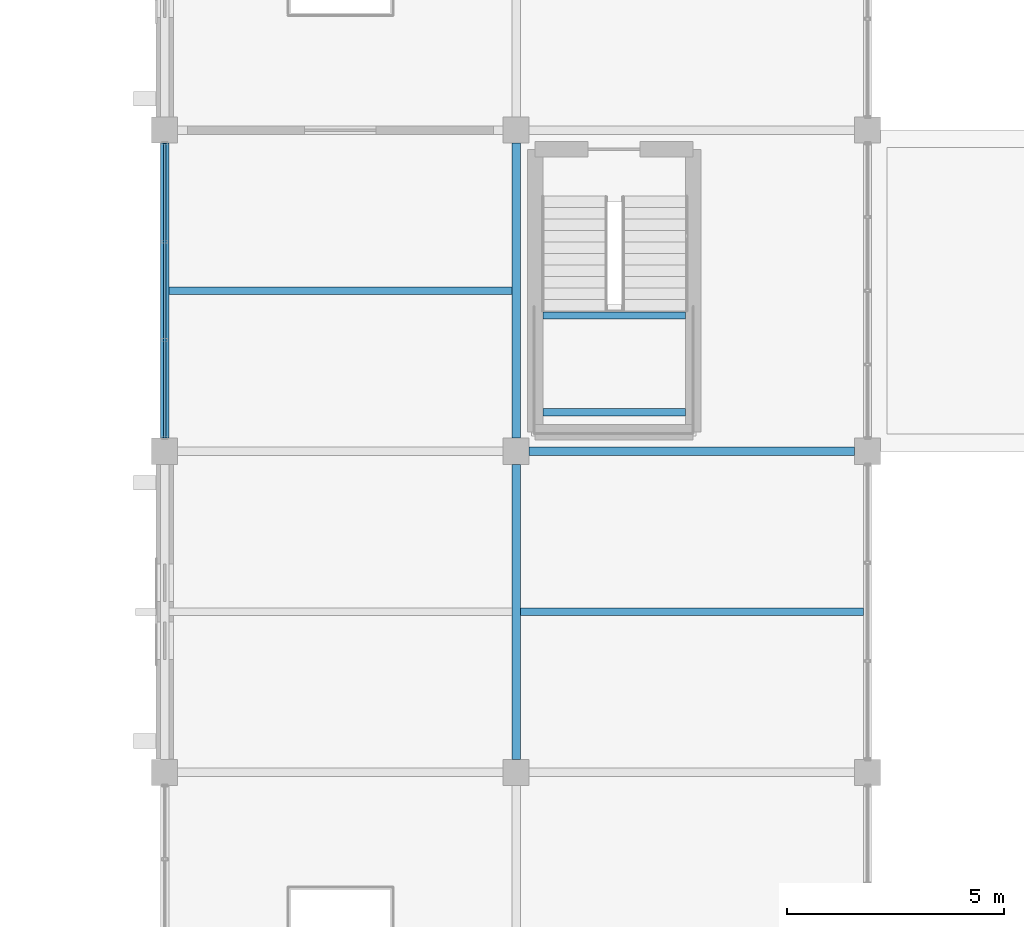
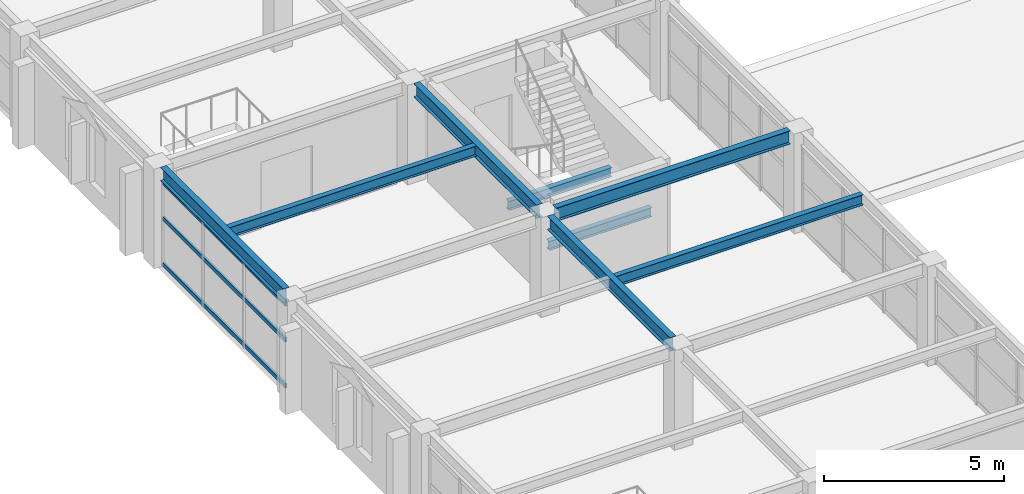
# One storey, part 20 of 121: 8 beams, 3 members, 1 element without a shape of its own.
"""IFC4 building model written with IfcOpenShell, lengths in metres."""

from ifc_helpers import new_model, si_unit, direction, frame, origin, origin_2d, place, context, subcontext, project, spatial, hollow_rectangle, i_section, extrude, material, material_profile, profile_set, type_object, element, aggregate, save


model = new_model("IFC4")

# Units and contexts
model_context = context("Model", 3, precision=1e-05, world=origin(), true_north=direction((0.0, 1.0)))
body_context = subcontext(model_context, "Body", "Model", "MODEL_VIEW")
ifc_project = project(units=[si_unit("LENGTHUNIT", "METRE"), si_unit("AREAUNIT", "SQUARE_METRE"), si_unit("VOLUMEUNIT", "CUBIC_METRE"), si_unit("PLANEANGLEUNIT", "RADIAN"), si_unit("MASSUNIT", "GRAM", prefix="KILO")], contexts=[model_context])

# Site, building, storey
site_placement = place(None, origin())
site = spatial("IfcSite", under=ifc_project, at=site_placement, CompositionType="ELEMENT")
building_placement = place(site_placement, origin())
building = spatial("IfcBuilding", under=site, at=building_placement, Name="Cimatlan Art Gallery", CompositionType="ELEMENT")
storey_placement = place(building_placement, frame((0.0, 0.0, 10.199951171875)))
storey = spatial("IfcBuildingStorey", under=building, at=storey_placement, Name="L02", CompositionType="ELEMENT", Elevation=10.199951171875)

# Beams
ifc_material_1 = material(Name="Steel ASTM A992 Grade 50", Category="steel")
ifc_material_profile_1 = material_profile(ifc_material_1, i_section(OverallWidth=0.1650390625, OverallDepth=0.31005859375, WebThickness=0.005859375, FlangeThickness=0.009765625, at=origin_2d()), Name="W12X26")
ifc_profile_set_1 = profile_set([ifc_material_profile_1], Name="Steel ASTM A992 Grade 50")
beam_type_1 = type_object("IfcBeamType", Name="BM-STL-W12X26", PredefinedType="JOIST", material=ifc_profile_set_1)
for number, where, z_axis, x_axis, name in (
    (1, (43.114990234375, 54.39990234375, 1.425048828125), (1.0, 0.0, 0.0), (0.0, 1.0, 0.0), "BM-STR-C8-L02-LH1"),
    (2, (43.114990234375, 56.6298828125, 1.425048828125), (1.0, 0.0, 0.0), (0.0, 1.0, 0.0), "BM-STR-C8-L02-LH2"),
):
    element("IfcBeam", number, at=place(storey_placement, frame(where, z_axis=z_axis, x_axis=x_axis)), inside=storey, type_object=beam_type_1, Name=name, PredefinedType="JOIST", context=body_context, shape_type="SweptSolid", body=[
        extrude(i_section(OverallWidth=0.1650390625, OverallDepth=0.31005859375, WebThickness=0.005859375, FlangeThickness=0.009765625, at=origin_2d()), origin(), (0.0, 0.0, 1.0), 3.2900390625),
    ])
ifc_material_profile_2 = material_profile(ifc_material_1, i_section(OverallWidth=0.1708984375, OverallDepth=0.35107421875, WebThickness=0.0068359375, FlangeThickness=0.009765625, at=origin_2d()), Name="W14X30")
ifc_profile_set_2 = profile_set([ifc_material_profile_2], Name="Steel ASTM A992 Grade 50")
beam_type_2 = type_object("IfcBeamType", Name="BM-STL-W14X30", PredefinedType="JOIST", material=ifc_profile_set_2)
for number, where, z_axis, x_axis, name in (
    (3, (34.49560546875, 57.199951171875, 3.194580078125), (1.0, 0.0, 0.0), (0.0, 1.0, 0.0), "JST-L02-04-07"),
    (4, (42.595458984375, 49.800048828125, 3.194580078125), (1.0, 0.0, 0.0), (0.0, 1.0, 0.0), "JST-L02-05-06"),
):
    element("IfcBeam", number, at=place(storey_placement, frame(where, z_axis=z_axis, x_axis=x_axis)), inside=storey, type_object=beam_type_2, Name=name, PredefinedType="JOIST", context=body_context, shape_type="SweptSolid", body=[
        extrude(i_section(OverallWidth=0.1708984375, OverallDepth=0.35107421875, WebThickness=0.0068359375, FlangeThickness=0.009765625, at=origin_2d()), origin(), (0.0, 0.0, 1.0), 7.908935546875),
    ])
ifc_material_profile_3 = material_profile(ifc_material_1, i_section(OverallWidth=0.19091796875, OverallDepth=0.45703125, WebThickness=0.009033203125, FlangeThickness=0.014404296875, at=origin_2d()), Name="W18X50")
ifc_profile_set_3 = profile_set([ifc_material_profile_3], Name="Steel ASTM A992 Grade 50")
beam_type_3 = type_object("IfcBeamType", Name="BM-STL-W18X50", PredefinedType="BEAM", material=ifc_profile_set_3)
for number, where, z_axis, x_axis, name in (
    (5, (34.39990234375, 53.800048828125, 3.1416015625), (0.0, 1.0, 0.0), (-1.0, 0.0, 0.0), "BM-Y-L02-04-07"),
    (6, (42.5, 46.39990234375, 3.1416015625), (0.0, 1.0, 0.0), (-1.0, 0.0, 0.0), "BM-Y-L02-05-06"),
    (7, (42.5, 53.800048828125, 3.1416015625), (0.0, 1.0, 0.0), (-1.0, 0.0, 0.0), "BM-Y-L02-05-07"),
):
    element("IfcBeam", number, at=place(storey_placement, frame(where, z_axis=z_axis, x_axis=x_axis)), inside=storey, type_object=beam_type_3, Name=name, PredefinedType="BEAM", context=body_context, shape_type="SweptSolid", body=[
        extrude(i_section(OverallWidth=0.19091796875, OverallDepth=0.45703125, WebThickness=0.009033203125, FlangeThickness=0.014404296875, at=origin_2d()), origin(), (0.0, 0.0, 1.0), 6.800048828125),
    ])
beam_placement = place(storey_placement, frame((42.800048828125, 53.5, 3.1416015625), z_axis=(1.0, 0.0, 0.0), x_axis=(0.0, 1.0, 0.0)))
element("IfcBeam", 8, at=beam_placement, inside=storey, type_object=beam_type_3, Name="BM-X-L02-05-07", PredefinedType="BEAM", context=body_context, shape_type="SweptSolid", body=[
    extrude(i_section(OverallWidth=0.19091796875, OverallDepth=0.45703125, WebThickness=0.009033203125, FlangeThickness=0.014404296875, at=origin_2d()), origin(), (0.0, 0.0, 1.0), 7.5),
])

# Curtain wall, members
ifc_material_2 = material(Name="Anodised bronze unitised curtain wall")
curtain_wall_type = type_object("IfcCurtainWallType", Name="CW-V-06792X02883-B3", PredefinedType="NOTDEFINED", material=ifc_material_2)
curtain_wall_placement = place(storey_placement, origin())
curtain_wall = element("IfcCurtainWall", 9, at=curtain_wall_placement, inside=storey, type_object=curtain_wall_type, Name="CW-L02-04-07-W", PredefinedType="NOTDEFINED")
ifc_material_3 = material(Name="Anodised bronze aluminium 6063-T6", Category="aluminium")
ifc_material_profile_4 = material_profile(ifc_material_3, hollow_rectangle(XDim=0.06494140625, YDim=0.139892578125, WallThickness=0.00390625, at=origin_2d()), Name="ALU65X140X4")
ifc_profile_set_4 = profile_set([ifc_material_profile_4], Name="Anodised bronze aluminium 6063-T6")
member_type = type_object("IfcMemberType", Name="CW-TRN-140", PredefinedType="USERDEFINED", material=ifc_profile_set_4)
member_1_placement = place(storey_placement, frame((34.39990234375, 53.803955078125, 0.06005859375), z_axis=(0.0, 1.0, 0.0), x_axis=(-1.0, 0.0, 0.0)))
member_1 = element("IfcMember", 10, at=member_1_placement, type_object=member_type, Name="CW-L02-04-07-W-T1", ObjectType="TRANSOM", PredefinedType="USERDEFINED", context=body_context, shape_type="SweptSolid", body=[
    extrude(hollow_rectangle(XDim=0.06494140625, YDim=0.139892578125, WallThickness=0.00390625, at=origin_2d()), origin(), (0.0, 0.0, 1.0), 6.7919921875),
])
member_2_placement = place(storey_placement, frame((34.39990234375, 53.803955078125, 1.614501953125), z_axis=(0.0, 1.0, 0.0), x_axis=(-1.0, 0.0, 0.0)))
member_2 = element("IfcMember", 11, at=member_2_placement, type_object=member_type, Name="CW-L02-04-07-W-T2", ObjectType="TRANSOM", PredefinedType="USERDEFINED", context=body_context, shape_type="SweptSolid", body=[
    extrude(hollow_rectangle(XDim=0.06494140625, YDim=0.139892578125, WallThickness=0.00390625, at=origin_2d()), origin(), (0.0, 0.0, 1.0), 6.7919921875),
])
member_3_placement = place(storey_placement, frame((34.39990234375, 53.803955078125, 2.822998046875), z_axis=(0.0, 1.0, 0.0), x_axis=(-1.0, 0.0, 0.0)))
member_3 = element("IfcMember", 12, at=member_3_placement, type_object=member_type, Name="CW-L02-04-07-W-T3", ObjectType="TRANSOM", PredefinedType="USERDEFINED", context=body_context, shape_type="SweptSolid", body=[
    extrude(hollow_rectangle(XDim=0.06494140625, YDim=0.139892578125, WallThickness=0.00390625, at=origin_2d()), origin(), (0.0, 0.0, 1.0), 6.7919921875),
])
aggregate(curtain_wall, [member_1, member_2, member_3])

save(model, "model.ifc")
